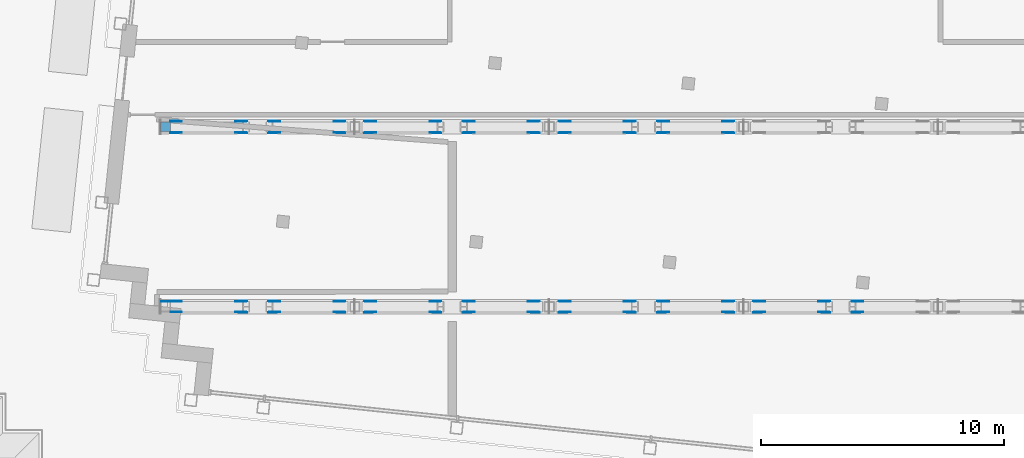
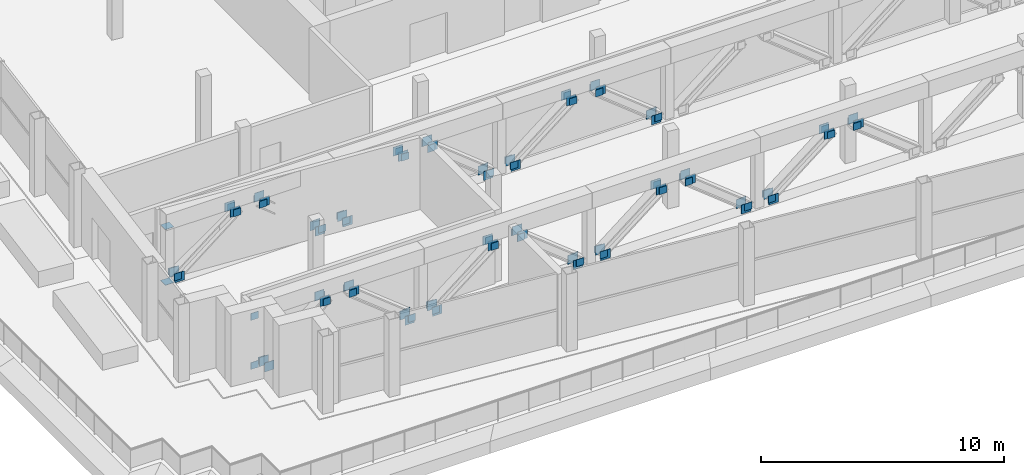
# One storey, part 11 of 18: 111 discrete accessories.
"""IFC4 building model written with IfcOpenShell, lengths in metres."""

from ifc_helpers import new_model, si_unit, direction, frame, origin, origin_2d, place, context, subcontext, project, spatial, rectangle, extrude, element, save


model = new_model("IFC4")

# Units and contexts
model_context = context("Model", 3, precision=1e-05, world=origin(), true_north=direction((0.0, 1.0)))
body_context = subcontext(model_context, "Body", "Model", "MODEL_VIEW")
ifc_project = project(units=[si_unit("LENGTHUNIT", "METRE"), si_unit("AREAUNIT", "SQUARE_METRE"), si_unit("VOLUMEUNIT", "CUBIC_METRE"), si_unit("PLANEANGLEUNIT", "RADIAN"), si_unit("MASSUNIT", "GRAM", prefix="KILO")], contexts=[model_context])

# Site, building, storey
site_placement = place(None, origin())
site = spatial("IfcSite", under=ifc_project, at=site_placement, CompositionType="ELEMENT")
building_placement = place(site_placement, origin())
building = spatial("IfcBuilding", under=site, at=building_placement, Name="Vidyagriha Tower", CompositionType="ELEMENT")
storey_placement = place(building_placement, frame((0.0, 0.0, 249.199951171875)))
storey = spatial("IfcBuildingStorey", under=building, at=storey_placement, Name="L64", CompositionType="ELEMENT", Elevation=249.199951171875)

# Discrete accessories
for number, where, name in (
    (1, (-21.345947265625, -9.17822265625, 0.0), "Truss gusset plate ASTM A572 Grade 50 20mm"),
    (2, (-21.345947265625, -9.621826171875, 0.0), "Truss gusset plate ASTM A572 Grade 50 20mm"),
    (3, (-18.7041015625, -9.17822265625, 2.3701171875), "Truss gusset plate ASTM A572 Grade 50 20mm"),
    (4, (-18.7041015625, -9.621826171875, 2.3701171875), "Truss gusset plate ASTM A572 Grade 50 20mm"),
    (5, (-17.2958984375, -9.17822265625, 2.3701171875), "Truss gusset plate ASTM A572 Grade 50 20mm"),
    (6, (-17.2958984375, -9.621826171875, 2.3701171875), "Truss gusset plate ASTM A572 Grade 50 20mm"),
    (7, (-14.654052734375, -9.17822265625, 0.0), "Truss gusset plate ASTM A572 Grade 50 20mm"),
    (8, (-14.654052734375, -9.621826171875, 0.0), "Truss gusset plate ASTM A572 Grade 50 20mm"),
    (9, (-13.345947265625, -9.17822265625, 0.0), "Truss gusset plate ASTM A572 Grade 50 20mm"),
    (10, (-13.345947265625, -9.621826171875, 0.0), "Truss gusset plate ASTM A572 Grade 50 20mm"),
    (11, (-10.7041015625, -9.17822265625, 2.3701171875), "Truss gusset plate ASTM A572 Grade 50 20mm"),
    (12, (-10.7041015625, -9.621826171875, 2.3701171875), "Truss gusset plate ASTM A572 Grade 50 20mm"),
    (13, (-9.2958984375, -9.17822265625, 2.3701171875), "Truss gusset plate ASTM A572 Grade 50 20mm"),
    (14, (-9.2958984375, -9.621826171875, 2.3701171875), "Truss gusset plate ASTM A572 Grade 50 20mm"),
    (15, (-6.654052734375, -9.17822265625, 0.0), "Truss gusset plate ASTM A572 Grade 50 20mm"),
    (16, (-6.654052734375, -9.621826171875, 0.0), "Truss gusset plate ASTM A572 Grade 50 20mm"),
    (17, (-5.345947265625, -9.17822265625, 0.0), "Truss gusset plate ASTM A572 Grade 50 20mm"),
    (18, (-5.345947265625, -9.621826171875, 0.0), "Truss gusset plate ASTM A572 Grade 50 20mm"),
    (19, (-2.7041015625, -9.17822265625, 2.3701171875), "Truss gusset plate ASTM A572 Grade 50 20mm"),
    (20, (-2.7041015625, -9.621826171875, 2.3701171875), "Truss gusset plate ASTM A572 Grade 50 20mm"),
    (21, (-1.2958984375, -9.17822265625, 2.3701171875), "Truss gusset plate ASTM A572 Grade 50 20mm"),
    (22, (-1.2958984375, -9.621826171875, 2.3701171875), "Truss gusset plate ASTM A572 Grade 50 20mm"),
    (23, (1.345947265625, -9.17822265625, 0.0), "Truss gusset plate ASTM A572 Grade 50 20mm"),
    (24, (1.345947265625, -9.621826171875, 0.0), "Truss gusset plate ASTM A572 Grade 50 20mm"),
    (25, (2.654052734375, -9.17822265625, 0.0), "Truss gusset plate ASTM A572 Grade 50 20mm"),
    (26, (2.654052734375, -9.621826171875, 0.0), "Truss gusset plate ASTM A572 Grade 50 20mm"),
    (27, (5.2958984375, -9.17822265625, 2.3701171875), "Truss gusset plate ASTM A572 Grade 50 20mm"),
    (28, (5.2958984375, -9.621826171875, 2.3701171875), "Truss gusset plate ASTM A572 Grade 50 20mm"),
    (29, (6.7041015625, -9.17822265625, 2.3701171875), "Truss gusset plate ASTM A572 Grade 50 20mm"),
    (30, (6.7041015625, -9.621826171875, 2.3701171875), "Truss gusset plate ASTM A572 Grade 50 20mm"),
    (31, (-21.345947265625, -1.778076171875, 0.0), "Truss gusset plate ASTM A572 Grade 50 20mm"),
    (32, (-21.345947265625, -2.221923828125, 0.0), "Truss gusset plate ASTM A572 Grade 50 20mm"),
    (33, (-18.7041015625, -1.778076171875, 2.3701171875), "Truss gusset plate ASTM A572 Grade 50 20mm"),
    (34, (-18.7041015625, -2.221923828125, 2.3701171875), "Truss gusset plate ASTM A572 Grade 50 20mm"),
    (35, (-17.2958984375, -1.778076171875, 2.3701171875), "Truss gusset plate ASTM A572 Grade 50 20mm"),
    (36, (-17.2958984375, -2.221923828125, 2.3701171875), "Truss gusset plate ASTM A572 Grade 50 20mm"),
    (37, (-14.654052734375, -1.778076171875, 0.0), "Truss gusset plate ASTM A572 Grade 50 20mm"),
    (38, (-14.654052734375, -2.221923828125, 0.0), "Truss gusset plate ASTM A572 Grade 50 20mm"),
    (39, (-13.345947265625, -1.778076171875, 0.0), "Truss gusset plate ASTM A572 Grade 50 20mm"),
    (40, (-13.345947265625, -2.221923828125, 0.0), "Truss gusset plate ASTM A572 Grade 50 20mm"),
    (41, (-10.7041015625, -1.778076171875, 2.3701171875), "Truss gusset plate ASTM A572 Grade 50 20mm"),
    (42, (-10.7041015625, -2.221923828125, 2.3701171875), "Truss gusset plate ASTM A572 Grade 50 20mm"),
    (43, (-9.2958984375, -1.778076171875, 2.3701171875), "Truss gusset plate ASTM A572 Grade 50 20mm"),
    (44, (-9.2958984375, -2.221923828125, 2.3701171875), "Truss gusset plate ASTM A572 Grade 50 20mm"),
    (45, (-6.654052734375, -1.778076171875, 0.0), "Truss gusset plate ASTM A572 Grade 50 20mm"),
    (46, (-6.654052734375, -2.221923828125, 0.0), "Truss gusset plate ASTM A572 Grade 50 20mm"),
    (47, (-5.345947265625, -1.778076171875, 0.0), "Truss gusset plate ASTM A572 Grade 50 20mm"),
    (48, (-5.345947265625, -2.221923828125, 0.0), "Truss gusset plate ASTM A572 Grade 50 20mm"),
    (49, (-2.7041015625, -1.778076171875, 2.3701171875), "Truss gusset plate ASTM A572 Grade 50 20mm"),
    (50, (-2.7041015625, -2.221923828125, 2.3701171875), "Truss gusset plate ASTM A572 Grade 50 20mm"),
    (51, (-1.2958984375, -1.778076171875, 2.3701171875), "Truss gusset plate ASTM A572 Grade 50 20mm"),
    (52, (-1.2958984375, -2.221923828125, 2.3701171875), "Truss gusset plate ASTM A572 Grade 50 20mm"),
    (53, (1.345947265625, -1.778076171875, 0.0), "Truss gusset plate ASTM A572 Grade 50 20mm"),
    (54, (1.345947265625, -2.221923828125, 0.0), "Truss gusset plate ASTM A572 Grade 50 20mm"),
):
    element("IfcDiscreteAccessory", number, at=place(storey_placement, frame(where)), inside=storey, Name=name, ObjectType="GUSSET PLATE", PredefinedType="USERDEFINED", context=body_context, shape_type="SweptSolid", body=[
        extrude(rectangle(XDim=0.449951171875, YDim=0.02001953125, at=origin_2d()), origin(), (0.0, 0.0, 1.0), 0.449951171875),
    ])
discrete_accessory_placement = place(storey_placement, frame((-21.433837890625, -9.15771484375, 0.11572265625), z_axis=(0.0, 0.0, 1.0), x_axis=(-1.0, 0.0, 0.0)))
element("IfcDiscreteAccessory", 55, at=discrete_accessory_placement, inside=storey, Name="End plate ASTM A572 Grade 50 20mm", ObjectType="END PLATE", PredefinedType="USERDEFINED", context=body_context, shape_type="SweptSolid", body=[
    extrude(rectangle(XDim=0.35009765625, YDim=0.02001953125, at=origin_2d()), origin(), (0.0, 0.0, 1.0), 0.35009765625),
])
for number, where, name in (
    (56, (-18.6162109375, -9.15771484375, 2.354248046875), "End plate ASTM A572 Grade 50 20mm"),
    (57, (-18.6162109375, -9.642333984375, 2.354248046875), "End plate ASTM A572 Grade 50 20mm"),
):
    element("IfcDiscreteAccessory", number, at=place(storey_placement, frame(where)), inside=storey, Name=name, ObjectType="END PLATE", PredefinedType="USERDEFINED", context=body_context, shape_type="SweptSolid", body=[
        extrude(rectangle(XDim=0.35009765625, YDim=0.02001953125, at=origin_2d()), origin(), (0.0, 0.0, 1.0), 0.35009765625),
    ])
for number, where, z_axis, x_axis, name in (
    (58, (-17.3837890625, -9.642333984375, 2.354248046875), (0.0, 0.0, 1.0), (-1.0, 0.0, 0.0), "End plate ASTM A572 Grade 50 20mm"),
    (59, (-17.3837890625, -9.15771484375, 2.354248046875), (0.0, 0.0, 1.0), (-1.0, 0.0, 0.0), "End plate ASTM A572 Grade 50 20mm"),
):
    element("IfcDiscreteAccessory", number, at=place(storey_placement, frame(where, z_axis=z_axis, x_axis=x_axis)), inside=storey, Name=name, ObjectType="END PLATE", PredefinedType="USERDEFINED", context=body_context, shape_type="SweptSolid", body=[
        extrude(rectangle(XDim=0.35009765625, YDim=0.02001953125, at=origin_2d()), origin(), (0.0, 0.0, 1.0), 0.35009765625),
    ])
for number, where, name in (
    (60, (-14.566162109375, -9.15771484375, 0.11572265625), "End plate ASTM A572 Grade 50 20mm"),
    (61, (-14.566162109375, -9.642333984375, 0.11572265625), "End plate ASTM A572 Grade 50 20mm"),
):
    element("IfcDiscreteAccessory", number, at=place(storey_placement, frame(where)), inside=storey, Name=name, ObjectType="END PLATE", PredefinedType="USERDEFINED", context=body_context, shape_type="SweptSolid", body=[
        extrude(rectangle(XDim=0.35009765625, YDim=0.02001953125, at=origin_2d()), origin(), (0.0, 0.0, 1.0), 0.35009765625),
    ])
for number, where, z_axis, x_axis, name in (
    (62, (-13.433837890625, -9.642333984375, 0.11572265625), (0.0, 0.0, 1.0), (-1.0, 0.0, 0.0), "End plate ASTM A572 Grade 50 20mm"),
    (63, (-13.433837890625, -9.15771484375, 0.11572265625), (0.0, 0.0, 1.0), (-1.0, 0.0, 0.0), "End plate ASTM A572 Grade 50 20mm"),
):
    element("IfcDiscreteAccessory", number, at=place(storey_placement, frame(where, z_axis=z_axis, x_axis=x_axis)), inside=storey, Name=name, ObjectType="END PLATE", PredefinedType="USERDEFINED", context=body_context, shape_type="SweptSolid", body=[
        extrude(rectangle(XDim=0.35009765625, YDim=0.02001953125, at=origin_2d()), origin(), (0.0, 0.0, 1.0), 0.35009765625),
    ])
for number, where, name in (
    (64, (-10.6162109375, -9.15771484375, 2.354248046875), "End plate ASTM A572 Grade 50 20mm"),
    (65, (-10.6162109375, -9.642333984375, 2.354248046875), "End plate ASTM A572 Grade 50 20mm"),
):
    element("IfcDiscreteAccessory", number, at=place(storey_placement, frame(where)), inside=storey, Name=name, ObjectType="END PLATE", PredefinedType="USERDEFINED", context=body_context, shape_type="SweptSolid", body=[
        extrude(rectangle(XDim=0.35009765625, YDim=0.02001953125, at=origin_2d()), origin(), (0.0, 0.0, 1.0), 0.35009765625),
    ])
for number, where, z_axis, x_axis, name in (
    (66, (-9.3837890625, -9.642333984375, 2.354248046875), (0.0, 0.0, 1.0), (-1.0, 0.0, 0.0), "End plate ASTM A572 Grade 50 20mm"),
    (67, (-9.3837890625, -9.15771484375, 2.354248046875), (0.0, 0.0, 1.0), (-1.0, 0.0, 0.0), "End plate ASTM A572 Grade 50 20mm"),
):
    element("IfcDiscreteAccessory", number, at=place(storey_placement, frame(where, z_axis=z_axis, x_axis=x_axis)), inside=storey, Name=name, ObjectType="END PLATE", PredefinedType="USERDEFINED", context=body_context, shape_type="SweptSolid", body=[
        extrude(rectangle(XDim=0.35009765625, YDim=0.02001953125, at=origin_2d()), origin(), (0.0, 0.0, 1.0), 0.35009765625),
    ])
for number, where, name in (
    (68, (-6.566162109375, -9.15771484375, 0.11572265625), "End plate ASTM A572 Grade 50 20mm"),
    (69, (-6.566162109375, -9.642333984375, 0.11572265625), "End plate ASTM A572 Grade 50 20mm"),
):
    element("IfcDiscreteAccessory", number, at=place(storey_placement, frame(where)), inside=storey, Name=name, ObjectType="END PLATE", PredefinedType="USERDEFINED", context=body_context, shape_type="SweptSolid", body=[
        extrude(rectangle(XDim=0.35009765625, YDim=0.02001953125, at=origin_2d()), origin(), (0.0, 0.0, 1.0), 0.35009765625),
    ])
for number, where, z_axis, x_axis, name in (
    (70, (-5.433837890625, -9.642333984375, 0.11572265625), (0.0, 0.0, 1.0), (-1.0, 0.0, 0.0), "End plate ASTM A572 Grade 50 20mm"),
    (71, (-5.433837890625, -9.15771484375, 0.11572265625), (0.0, 0.0, 1.0), (-1.0, 0.0, 0.0), "End plate ASTM A572 Grade 50 20mm"),
):
    element("IfcDiscreteAccessory", number, at=place(storey_placement, frame(where, z_axis=z_axis, x_axis=x_axis)), inside=storey, Name=name, ObjectType="END PLATE", PredefinedType="USERDEFINED", context=body_context, shape_type="SweptSolid", body=[
        extrude(rectangle(XDim=0.35009765625, YDim=0.02001953125, at=origin_2d()), origin(), (0.0, 0.0, 1.0), 0.35009765625),
    ])
for number, where, name in (
    (72, (-2.6162109375, -9.15771484375, 2.354248046875), "End plate ASTM A572 Grade 50 20mm"),
    (73, (-2.6162109375, -9.642333984375, 2.354248046875), "End plate ASTM A572 Grade 50 20mm"),
):
    element("IfcDiscreteAccessory", number, at=place(storey_placement, frame(where)), inside=storey, Name=name, ObjectType="END PLATE", PredefinedType="USERDEFINED", context=body_context, shape_type="SweptSolid", body=[
        extrude(rectangle(XDim=0.35009765625, YDim=0.02001953125, at=origin_2d()), origin(), (0.0, 0.0, 1.0), 0.35009765625),
    ])
for number, where, z_axis, x_axis, name in (
    (74, (-1.3837890625, -9.642333984375, 2.354248046875), (0.0, 0.0, 1.0), (-1.0, 0.0, 0.0), "End plate ASTM A572 Grade 50 20mm"),
    (75, (-1.3837890625, -9.15771484375, 2.354248046875), (0.0, 0.0, 1.0), (-1.0, 0.0, 0.0), "End plate ASTM A572 Grade 50 20mm"),
):
    element("IfcDiscreteAccessory", number, at=place(storey_placement, frame(where, z_axis=z_axis, x_axis=x_axis)), inside=storey, Name=name, ObjectType="END PLATE", PredefinedType="USERDEFINED", context=body_context, shape_type="SweptSolid", body=[
        extrude(rectangle(XDim=0.35009765625, YDim=0.02001953125, at=origin_2d()), origin(), (0.0, 0.0, 1.0), 0.35009765625),
    ])
for number, where, name in (
    (76, (1.433837890625, -9.15771484375, 0.11572265625), "End plate ASTM A572 Grade 50 20mm"),
    (77, (1.433837890625, -9.642333984375, 0.11572265625), "End plate ASTM A572 Grade 50 20mm"),
):
    element("IfcDiscreteAccessory", number, at=place(storey_placement, frame(where)), inside=storey, Name=name, ObjectType="END PLATE", PredefinedType="USERDEFINED", context=body_context, shape_type="SweptSolid", body=[
        extrude(rectangle(XDim=0.35009765625, YDim=0.02001953125, at=origin_2d()), origin(), (0.0, 0.0, 1.0), 0.35009765625),
    ])
for number, where, z_axis, x_axis, name in (
    (78, (2.566162109375, -9.642333984375, 0.11572265625), (0.0, 0.0, 1.0), (-1.0, 0.0, 0.0), "End plate ASTM A572 Grade 50 20mm"),
    (79, (2.566162109375, -9.15771484375, 0.11572265625), (0.0, 0.0, 1.0), (-1.0, 0.0, 0.0), "End plate ASTM A572 Grade 50 20mm"),
):
    element("IfcDiscreteAccessory", number, at=place(storey_placement, frame(where, z_axis=z_axis, x_axis=x_axis)), inside=storey, Name=name, ObjectType="END PLATE", PredefinedType="USERDEFINED", context=body_context, shape_type="SweptSolid", body=[
        extrude(rectangle(XDim=0.35009765625, YDim=0.02001953125, at=origin_2d()), origin(), (0.0, 0.0, 1.0), 0.35009765625),
    ])
for number, where, name in (
    (80, (5.3837890625, -9.15771484375, 2.354248046875), "End plate ASTM A572 Grade 50 20mm"),
    (81, (5.3837890625, -9.642333984375, 2.354248046875), "End plate ASTM A572 Grade 50 20mm"),
):
    element("IfcDiscreteAccessory", number, at=place(storey_placement, frame(where)), inside=storey, Name=name, ObjectType="END PLATE", PredefinedType="USERDEFINED", context=body_context, shape_type="SweptSolid", body=[
        extrude(rectangle(XDim=0.35009765625, YDim=0.02001953125, at=origin_2d()), origin(), (0.0, 0.0, 1.0), 0.35009765625),
    ])
for number, where, z_axis, x_axis, name in (
    (82, (6.6162109375, -9.642333984375, 2.354248046875), (0.0, 0.0, 1.0), (-1.0, 0.0, 0.0), "End plate ASTM A572 Grade 50 20mm"),
    (83, (6.6162109375, -9.15771484375, 2.354248046875), (0.0, 0.0, 1.0), (-1.0, 0.0, 0.0), "End plate ASTM A572 Grade 50 20mm"),
):
    element("IfcDiscreteAccessory", number, at=place(storey_placement, frame(where, z_axis=z_axis, x_axis=x_axis)), inside=storey, Name=name, ObjectType="END PLATE", PredefinedType="USERDEFINED", context=body_context, shape_type="SweptSolid", body=[
        extrude(rectangle(XDim=0.35009765625, YDim=0.02001953125, at=origin_2d()), origin(), (0.0, 0.0, 1.0), 0.35009765625),
    ])
for number, where, name in (
    (84, (-21.796875, -9.186767578125, 0.0), "End plate ASTM A572 Grade 50 20mm"),
    (85, (-21.796875, -9.186767578125, 2.469970703125), "End plate ASTM A572 Grade 50 20mm"),
):
    element("IfcDiscreteAccessory", number, at=place(storey_placement, frame(where)), inside=storey, Name=name, ObjectType="END PLATE", PredefinedType="USERDEFINED", context=body_context, shape_type="SweptSolid", body=[
        extrude(rectangle(XDim=0.35009765625, YDim=0.02001953125, at=origin_2d()), origin(), (0.0, 0.0, 1.0), 0.35009765625),
    ])
for number, where, z_axis, x_axis, name in (
    (86, (-21.433837890625, -2.242431640625, 0.11572265625), (0.0, 0.0, 1.0), (-1.0, 0.0, 0.0), "End plate ASTM A572 Grade 50 20mm"),
    (87, (-21.433837890625, -1.757568359375, 0.11572265625), (0.0, 0.0, 1.0), (-1.0, 0.0, 0.0), "End plate ASTM A572 Grade 50 20mm"),
):
    element("IfcDiscreteAccessory", number, at=place(storey_placement, frame(where, z_axis=z_axis, x_axis=x_axis)), inside=storey, Name=name, ObjectType="END PLATE", PredefinedType="USERDEFINED", context=body_context, shape_type="SweptSolid", body=[
        extrude(rectangle(XDim=0.35009765625, YDim=0.02001953125, at=origin_2d()), origin(), (0.0, 0.0, 1.0), 0.35009765625),
    ])
for number, where, name in (
    (88, (-18.6162109375, -1.757568359375, 2.354248046875), "End plate ASTM A572 Grade 50 20mm"),
    (89, (-18.6162109375, -2.242431640625, 2.354248046875), "End plate ASTM A572 Grade 50 20mm"),
):
    element("IfcDiscreteAccessory", number, at=place(storey_placement, frame(where)), inside=storey, Name=name, ObjectType="END PLATE", PredefinedType="USERDEFINED", context=body_context, shape_type="SweptSolid", body=[
        extrude(rectangle(XDim=0.35009765625, YDim=0.02001953125, at=origin_2d()), origin(), (0.0, 0.0, 1.0), 0.35009765625),
    ])
for number, where, z_axis, x_axis, name in (
    (90, (-17.3837890625, -2.242431640625, 2.354248046875), (0.0, 0.0, 1.0), (-1.0, 0.0, 0.0), "End plate ASTM A572 Grade 50 20mm"),
    (91, (-17.3837890625, -1.757568359375, 2.354248046875), (0.0, 0.0, 1.0), (-1.0, 0.0, 0.0), "End plate ASTM A572 Grade 50 20mm"),
):
    element("IfcDiscreteAccessory", number, at=place(storey_placement, frame(where, z_axis=z_axis, x_axis=x_axis)), inside=storey, Name=name, ObjectType="END PLATE", PredefinedType="USERDEFINED", context=body_context, shape_type="SweptSolid", body=[
        extrude(rectangle(XDim=0.35009765625, YDim=0.02001953125, at=origin_2d()), origin(), (0.0, 0.0, 1.0), 0.35009765625),
    ])
for number, where, name in (
    (92, (-14.566162109375, -1.757568359375, 0.11572265625), "End plate ASTM A572 Grade 50 20mm"),
    (93, (-14.566162109375, -2.242431640625, 0.11572265625), "End plate ASTM A572 Grade 50 20mm"),
):
    element("IfcDiscreteAccessory", number, at=place(storey_placement, frame(where)), inside=storey, Name=name, ObjectType="END PLATE", PredefinedType="USERDEFINED", context=body_context, shape_type="SweptSolid", body=[
        extrude(rectangle(XDim=0.35009765625, YDim=0.02001953125, at=origin_2d()), origin(), (0.0, 0.0, 1.0), 0.35009765625),
    ])
for number, where, z_axis, x_axis, name in (
    (94, (-13.433837890625, -2.242431640625, 0.11572265625), (0.0, 0.0, 1.0), (-1.0, 0.0, 0.0), "End plate ASTM A572 Grade 50 20mm"),
    (95, (-13.433837890625, -1.757568359375, 0.11572265625), (0.0, 0.0, 1.0), (-1.0, 0.0, 0.0), "End plate ASTM A572 Grade 50 20mm"),
):
    element("IfcDiscreteAccessory", number, at=place(storey_placement, frame(where, z_axis=z_axis, x_axis=x_axis)), inside=storey, Name=name, ObjectType="END PLATE", PredefinedType="USERDEFINED", context=body_context, shape_type="SweptSolid", body=[
        extrude(rectangle(XDim=0.35009765625, YDim=0.02001953125, at=origin_2d()), origin(), (0.0, 0.0, 1.0), 0.35009765625),
    ])
for number, where, name in (
    (96, (-10.6162109375, -1.757568359375, 2.354248046875), "End plate ASTM A572 Grade 50 20mm"),
    (97, (-10.6162109375, -2.242431640625, 2.354248046875), "End plate ASTM A572 Grade 50 20mm"),
):
    element("IfcDiscreteAccessory", number, at=place(storey_placement, frame(where)), inside=storey, Name=name, ObjectType="END PLATE", PredefinedType="USERDEFINED", context=body_context, shape_type="SweptSolid", body=[
        extrude(rectangle(XDim=0.35009765625, YDim=0.02001953125, at=origin_2d()), origin(), (0.0, 0.0, 1.0), 0.35009765625),
    ])
for number, where, z_axis, x_axis, name in (
    (98, (-9.3837890625, -2.242431640625, 2.354248046875), (0.0, 0.0, 1.0), (-1.0, 0.0, 0.0), "End plate ASTM A572 Grade 50 20mm"),
    (99, (-9.3837890625, -1.757568359375, 2.354248046875), (0.0, 0.0, 1.0), (-1.0, 0.0, 0.0), "End plate ASTM A572 Grade 50 20mm"),
):
    element("IfcDiscreteAccessory", number, at=place(storey_placement, frame(where, z_axis=z_axis, x_axis=x_axis)), inside=storey, Name=name, ObjectType="END PLATE", PredefinedType="USERDEFINED", context=body_context, shape_type="SweptSolid", body=[
        extrude(rectangle(XDim=0.35009765625, YDim=0.02001953125, at=origin_2d()), origin(), (0.0, 0.0, 1.0), 0.35009765625),
    ])
for number, where, name in (
    (100, (-6.566162109375, -1.757568359375, 0.11572265625), "End plate ASTM A572 Grade 50 20mm"),
    (101, (-6.566162109375, -2.242431640625, 0.11572265625), "End plate ASTM A572 Grade 50 20mm"),
):
    element("IfcDiscreteAccessory", number, at=place(storey_placement, frame(where)), inside=storey, Name=name, ObjectType="END PLATE", PredefinedType="USERDEFINED", context=body_context, shape_type="SweptSolid", body=[
        extrude(rectangle(XDim=0.35009765625, YDim=0.02001953125, at=origin_2d()), origin(), (0.0, 0.0, 1.0), 0.35009765625),
    ])
for number, where, z_axis, x_axis, name in (
    (102, (-5.433837890625, -2.242431640625, 0.11572265625), (0.0, 0.0, 1.0), (-1.0, 0.0, 0.0), "End plate ASTM A572 Grade 50 20mm"),
    (103, (-5.433837890625, -1.757568359375, 0.11572265625), (0.0, 0.0, 1.0), (-1.0, 0.0, 0.0), "End plate ASTM A572 Grade 50 20mm"),
):
    element("IfcDiscreteAccessory", number, at=place(storey_placement, frame(where, z_axis=z_axis, x_axis=x_axis)), inside=storey, Name=name, ObjectType="END PLATE", PredefinedType="USERDEFINED", context=body_context, shape_type="SweptSolid", body=[
        extrude(rectangle(XDim=0.35009765625, YDim=0.02001953125, at=origin_2d()), origin(), (0.0, 0.0, 1.0), 0.35009765625),
    ])
for number, where, name in (
    (104, (-2.6162109375, -1.757568359375, 2.354248046875), "End plate ASTM A572 Grade 50 20mm"),
    (105, (-2.6162109375, -2.242431640625, 2.354248046875), "End plate ASTM A572 Grade 50 20mm"),
):
    element("IfcDiscreteAccessory", number, at=place(storey_placement, frame(where)), inside=storey, Name=name, ObjectType="END PLATE", PredefinedType="USERDEFINED", context=body_context, shape_type="SweptSolid", body=[
        extrude(rectangle(XDim=0.35009765625, YDim=0.02001953125, at=origin_2d()), origin(), (0.0, 0.0, 1.0), 0.35009765625),
    ])
for number, where, z_axis, x_axis, name in (
    (106, (-1.3837890625, -2.242431640625, 2.354248046875), (0.0, 0.0, 1.0), (-1.0, 0.0, 0.0), "End plate ASTM A572 Grade 50 20mm"),
    (107, (-1.3837890625, -1.757568359375, 2.354248046875), (0.0, 0.0, 1.0), (-1.0, 0.0, 0.0), "End plate ASTM A572 Grade 50 20mm"),
):
    element("IfcDiscreteAccessory", number, at=place(storey_placement, frame(where, z_axis=z_axis, x_axis=x_axis)), inside=storey, Name=name, ObjectType="END PLATE", PredefinedType="USERDEFINED", context=body_context, shape_type="SweptSolid", body=[
        extrude(rectangle(XDim=0.35009765625, YDim=0.02001953125, at=origin_2d()), origin(), (0.0, 0.0, 1.0), 0.35009765625),
    ])
for number, where, name in (
    (108, (1.433837890625, -1.757568359375, 0.11572265625), "End plate ASTM A572 Grade 50 20mm"),
    (109, (1.433837890625, -2.242431640625, 0.11572265625), "End plate ASTM A572 Grade 50 20mm"),
):
    element("IfcDiscreteAccessory", number, at=place(storey_placement, frame(where)), inside=storey, Name=name, ObjectType="END PLATE", PredefinedType="USERDEFINED", context=body_context, shape_type="SweptSolid", body=[
        extrude(rectangle(XDim=0.35009765625, YDim=0.02001953125, at=origin_2d()), origin(), (0.0, 0.0, 1.0), 0.35009765625),
    ])
for number, where, name in (
    (110, (-21.796875, -2.0, -0.000244140625), "End plate ASTM A572 Grade 50 20mm"),
    (111, (-21.796875, -2.0, 2.80029296875), "End plate ASTM A572 Grade 50 20mm"),
):
    element("IfcDiscreteAccessory", number, at=place(storey_placement, frame(where)), inside=storey, Name=name, ObjectType="END PLATE", PredefinedType="USERDEFINED", context=body_context, shape_type="SweptSolid", body=[
        extrude(rectangle(XDim=0.406494140625, YDim=0.406494140625, at=origin_2d()), origin(), (0.0, 0.0, 1.0), 0.02001953125),
    ])

save(model, "model.ifc")
